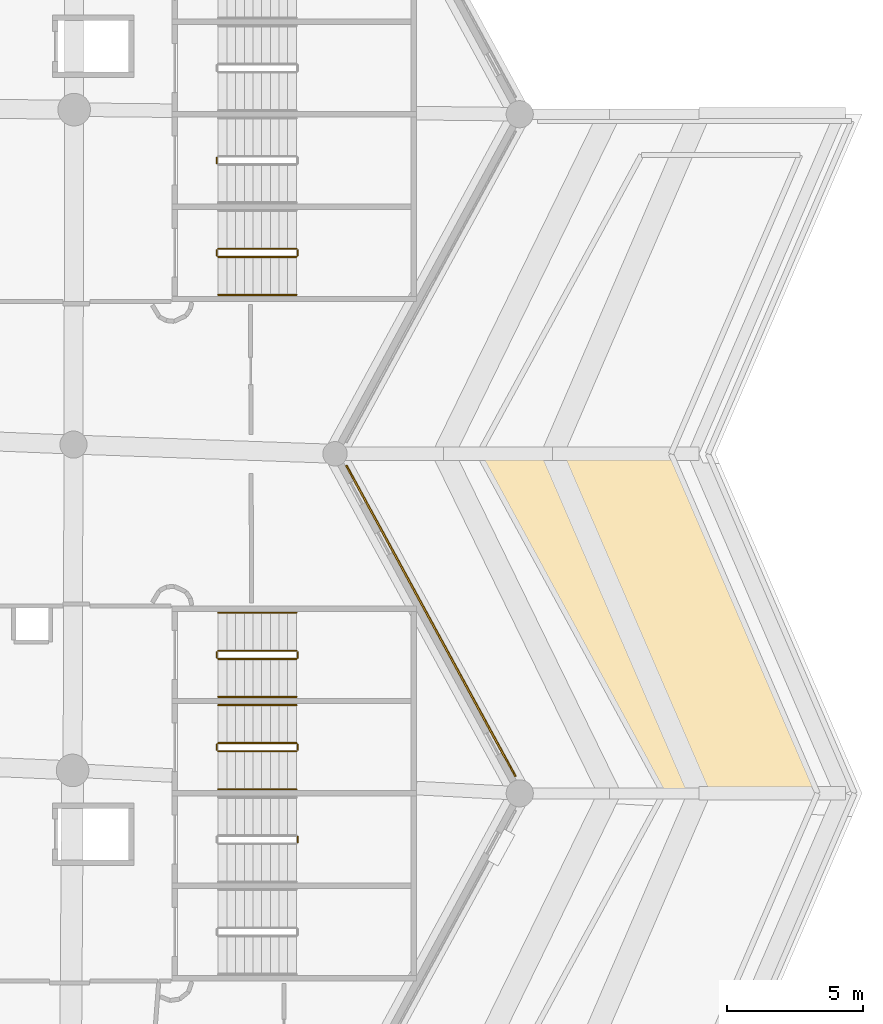
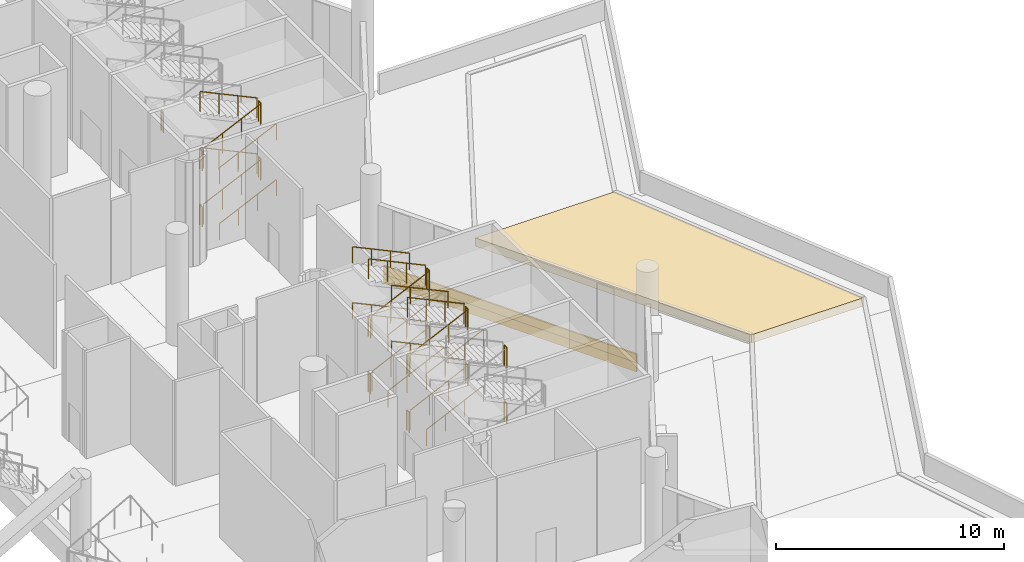
# One storey, part 140 of 173: 37 railings, 3 coverings.
"""IFC4 building model written with IfcOpenShell, lengths in metres."""

from ifc_helpers import new_model, si_unit, direction, frame, origin, origin_2d, place, context, subcontext, project, spatial, polyline, rectangle, circle, outline, extrude, material, layer, layer_set, type_object, element, save


model = new_model("IFC4")

# Units and contexts
model_context = context("Model", 3, precision=1e-05, world=origin(), true_north=direction((0.0, 1.0)))
body_context = subcontext(model_context, "Body", "Model", "MODEL_VIEW")
ifc_project = project(units=[si_unit("LENGTHUNIT", "METRE"), si_unit("AREAUNIT", "SQUARE_METRE"), si_unit("VOLUMEUNIT", "CUBIC_METRE"), si_unit("PLANEANGLEUNIT", "RADIAN"), si_unit("MASSUNIT", "GRAM", prefix="KILO")], contexts=[model_context])

# Site, building, storey
site_placement = place(None, origin())
site = spatial("IfcSite", under=ifc_project, at=site_placement, CompositionType="ELEMENT")
building_placement = place(site_placement, origin())
building = spatial("IfcBuilding", under=site, at=building_placement, Name="Meseta Stadium", CompositionType="ELEMENT")
storey_placement = place(building_placement, frame((0.0, 0.0, 18.0)))
storey = spatial("IfcBuildingStorey", under=building, at=storey_placement, Name="L03", CompositionType="ELEMENT", Elevation=18.0)

# Coverings
ifc_material_1 = material(Name="Guadarrama granite cladding", Category="masonry")
ifc_layer_1 = layer(ifc_material_1, 0.06005859375)
ifc_layer_set_1 = layer_set([ifc_layer_1], Name="Granite plinth cladding 60")
covering_type_1 = type_object("IfcCoveringType", Name="Granite plinth cladding 60", PredefinedType="CLADDING", material=ifc_layer_set_1)
covering_1_placement = place(storey_placement, frame((98.124267578125, -24.904052734375, 0.0), z_axis=(0.0, 0.0, 1.0), x_axis=(0.47786723231, -0.878432073802, 0.0)))
element("IfcCovering", 1, at=covering_1_placement, inside=storey, type_object=covering_type_1, Name="Granite plinth L03 F02", PredefinedType="CLADDING", context=body_context, shape_type="SweptSolid", body=[
    extrude(rectangle(XDim=13.040283203125, YDim=0.06005859375, at=origin_2d()), origin(), (0.0, 0.0, 1.0), 0.5),
])
ifc_material_2 = material(Name="Planting soil")
ifc_layer_2 = layer(ifc_material_2, 0.449951171875)
ifc_layer_set_2 = layer_set([ifc_layer_2], Name="Planting soil 450")
covering_type_2 = type_object("IfcCoveringType", Name="Planting soil 450", PredefinedType="FLOORING", material=ifc_layer_set_2)
covering_2_placement = place(storey_placement, origin())
element("IfcCovering", 2, at=covering_2_placement, inside=storey, type_object=covering_type_2, Name="Roof garden planting bed 8.1 panel 06", PredefinedType="FLOORING", context=body_context, shape_type="SweptSolid", body=[
    extrude(outline(polyline([(99.8935546875, -18.75), (106.693603515625, -31.25), (112.365966796875, -31.25), (106.966064453125, -18.75), (99.8935546875, -18.75)])), origin(), (0.0, 0.0, 1.0), 0.449951171875),
])

# Railings
ifc_material_3 = material(Name="Steel S355", Category="steel")
railing_type_1 = type_object("IfcRailingType", Name="Stair guard 1100", PredefinedType="GUARDRAIL", material=ifc_material_3)
for number, where, name in (
    (3, (93.22998046875, -33.050048828125, 1.5), "ST6 L03 guard 2"),
    (4, (93.22998046875, -33.050048828125, 4.5), "ST6 L03 guard 6"),
):
    element("IfcRailing", number, at=place(storey_placement, frame(where)), inside=storey, type_object=railing_type_1, Name=name, PredefinedType="GUARDRAIL", context=body_context, shape_type="SweptSolid", body=[
        extrude(circle(Radius=0.02392578125, at=origin_2d()), frame((0.0, 0.0, 1.076171875), z_axis=(0.0, 1.0, 0.0), x_axis=(-1.0, 0.0, 0.0)), (0.0, 0.0, 1.0), 0.199951171875),
        extrude(circle(Radius=0.02099609375, at=origin_2d()), origin(), (0.0, 0.0, 1.0), 1.052001953125),
        extrude(circle(Radius=0.02099609375, at=origin_2d()), frame((0.0, 0.199951171875, 0.0)), (0.0, 0.0, 1.0), 1.052001953125),
    ])
railing_1_placement = place(storey_placement, frame((90.300048828125, -29.699951171875, 0.14990234375)))
element("IfcRailing", 5, at=railing_1_placement, inside=storey, type_object=railing_type_1, Name="ST7 L03 guard 1", PredefinedType="GUARDRAIL", context=body_context, shape_type="SweptSolid", body=[
    extrude(circle(Radius=0.02392578125, at=origin_2d()), frame((0.0, 0.0, 1.076171875), z_axis=(0.905440498372, 0.0, 0.424473207528), x_axis=(0.0, 1.0, 0.0)), (0.0, 0.0, 1.0), 3.1806640625),
    extrude(circle(Radius=0.02099609375, at=origin_2d()), origin(), (0.0, 0.0, 1.0), 1.052001953125),
    extrude(circle(Radius=0.02099609375, at=origin_2d()), frame((0.9599609375, 0.0, 0.449951171875)), (0.0, 0.0, 1.0), 1.052001953125),
    extrude(circle(Radius=0.02099609375, at=origin_2d()), frame((1.919921875, 0.0, 0.900146484375)), (0.0, 0.0, 1.0), 1.052001953125),
    extrude(circle(Radius=0.02099609375, at=origin_2d()), frame((2.8798828125, 0.0, 1.35009765625)), (0.0, 0.0, 1.0), 1.052001953125),
])
railing_2_placement = place(storey_placement, frame((93.22998046875, -29.64990234375, 1.5)))
element("IfcRailing", 6, at=railing_2_placement, inside=storey, type_object=railing_type_1, Name="ST7 L03 guard 2", PredefinedType="GUARDRAIL", context=body_context, shape_type="SweptSolid", body=[
    extrude(circle(Radius=0.02392578125, at=origin_2d()), frame((0.0, 0.0, 1.076171875), z_axis=(0.0, 1.0, 0.0), x_axis=(-1.0, 0.0, 0.0)), (0.0, 0.0, 1.0), 0.199951171875),
    extrude(circle(Radius=0.02099609375, at=origin_2d()), origin(), (0.0, 0.0, 1.0), 1.052001953125),
    extrude(circle(Radius=0.02099609375, at=origin_2d()), frame((0.0, 0.199951171875, 0.0)), (0.0, 0.0, 1.0), 1.052001953125),
])
railing_3_placement = place(storey_placement, frame((93.179931640625, -29.39990234375, 1.64990234375)))
element("IfcRailing", 7, at=railing_3_placement, inside=storey, type_object=railing_type_1, Name="ST7 L03 guard 3", PredefinedType="GUARDRAIL", context=body_context, shape_type="SweptSolid", body=[
    extrude(circle(Radius=0.02392578125, at=origin_2d()), frame((0.0, 0.0, 1.076171875), z_axis=(-0.905440498372, 0.0, 0.424473207528), x_axis=(0.0, -1.0, 0.0)), (0.0, 0.0, 1.0), 3.1806640625),
    extrude(circle(Radius=0.02099609375, at=origin_2d()), origin(), (0.0, 0.0, 1.0), 1.052001953125),
    extrude(circle(Radius=0.02099609375, at=origin_2d()), frame((-0.9599609375, 0.0, 0.449951171875)), (0.0, 0.0, 1.0), 1.052001953125),
    extrude(circle(Radius=0.02099609375, at=origin_2d()), frame((-1.919921875, 0.0, 0.900146484375)), (0.0, 0.0, 1.0), 1.052001953125),
    extrude(circle(Radius=0.02099609375, at=origin_2d()), frame((-2.8798828125, 0.0, 1.35009765625)), (0.0, 0.0, 1.0), 1.052001953125),
])
railing_4_placement = place(storey_placement, frame((90.25, -29.64990234375, 3.0)))
element("IfcRailing", 8, at=railing_4_placement, inside=storey, type_object=railing_type_1, Name="ST7 L03 guard 4", PredefinedType="GUARDRAIL", context=body_context, shape_type="SweptSolid", body=[
    extrude(circle(Radius=0.02392578125, at=origin_2d()), frame((0.0, 0.0, 1.076171875), z_axis=(0.0, 1.0, 0.0), x_axis=(-1.0, 0.0, 0.0)), (0.0, 0.0, 1.0), 0.199951171875),
    extrude(circle(Radius=0.02099609375, at=origin_2d()), origin(), (0.0, 0.0, 1.0), 1.052001953125),
    extrude(circle(Radius=0.02099609375, at=origin_2d()), frame((0.0, 0.199951171875, 0.0)), (0.0, 0.0, 1.0), 1.052001953125),
])
railing_5_placement = place(storey_placement, frame((90.300048828125, -29.699951171875, 3.14990234375)))
element("IfcRailing", 9, at=railing_5_placement, inside=storey, type_object=railing_type_1, Name="ST7 L03 guard 5", PredefinedType="GUARDRAIL", context=body_context, shape_type="SweptSolid", body=[
    extrude(circle(Radius=0.02392578125, at=origin_2d()), frame((0.0, 0.0, 1.076171875), z_axis=(0.905440498372, 0.0, 0.424473207528), x_axis=(0.0, 1.0, 0.0)), (0.0, 0.0, 1.0), 3.1806640625),
    extrude(circle(Radius=0.02099609375, at=origin_2d()), origin(), (0.0, 0.0, 1.0), 1.052001953125),
    extrude(circle(Radius=0.02099609375, at=origin_2d()), frame((0.9599609375, 0.0, 0.449951171875)), (0.0, 0.0, 1.0), 1.052001953125),
    extrude(circle(Radius=0.02099609375, at=origin_2d()), frame((1.919921875, 0.0, 0.900146484375)), (0.0, 0.0, 1.0), 1.052001953125),
    extrude(circle(Radius=0.02099609375, at=origin_2d()), frame((2.8798828125, 0.0, 1.35009765625)), (0.0, 0.0, 1.0), 1.052001953125),
])
railing_6_placement = place(storey_placement, frame((93.22998046875, -29.64990234375, 4.5)))
element("IfcRailing", 10, at=railing_6_placement, inside=storey, type_object=railing_type_1, Name="ST7 L03 guard 6", PredefinedType="GUARDRAIL", context=body_context, shape_type="SweptSolid", body=[
    extrude(circle(Radius=0.02392578125, at=origin_2d()), frame((0.0, 0.0, 1.076171875), z_axis=(0.0, 1.0, 0.0), x_axis=(-1.0, 0.0, 0.0)), (0.0, 0.0, 1.0), 0.199951171875),
    extrude(circle(Radius=0.02099609375, at=origin_2d()), origin(), (0.0, 0.0, 1.0), 1.052001953125),
    extrude(circle(Radius=0.02099609375, at=origin_2d()), frame((0.0, 0.199951171875, 0.0)), (0.0, 0.0, 1.0), 1.052001953125),
])
railing_7_placement = place(storey_placement, frame((93.179931640625, -29.39990234375, 4.64990234375)))
element("IfcRailing", 11, at=railing_7_placement, inside=storey, type_object=railing_type_1, Name="ST7 L03 guard 7", PredefinedType="GUARDRAIL", context=body_context, shape_type="SweptSolid", body=[
    extrude(circle(Radius=0.02392578125, at=origin_2d()), frame((0.0, 0.0, 1.076171875), z_axis=(-0.905440498372, 0.0, 0.424473207528), x_axis=(0.0, -1.0, 0.0)), (0.0, 0.0, 1.0), 3.1806640625),
    extrude(circle(Radius=0.02099609375, at=origin_2d()), origin(), (0.0, 0.0, 1.0), 1.052001953125),
    extrude(circle(Radius=0.02099609375, at=origin_2d()), frame((-0.9599609375, 0.0, 0.449951171875)), (0.0, 0.0, 1.0), 1.052001953125),
    extrude(circle(Radius=0.02099609375, at=origin_2d()), frame((-1.919921875, 0.0, 0.900146484375)), (0.0, 0.0, 1.0), 1.052001953125),
    extrude(circle(Radius=0.02099609375, at=origin_2d()), frame((-2.8798828125, 0.0, 1.35009765625)), (0.0, 0.0, 1.0), 1.052001953125),
])
railing_8_placement = place(storey_placement, frame((90.25, -29.64990234375, 0.0)))
element("IfcRailing", 12, at=railing_8_placement, inside=storey, type_object=railing_type_1, Name="ST7 L03 guard 8", PredefinedType="GUARDRAIL", context=body_context, shape_type="SweptSolid", body=[
    extrude(circle(Radius=0.02392578125, at=origin_2d()), frame((0.0, 0.0, 1.076171875), z_axis=(0.0, 1.0, 0.0), x_axis=(-1.0, 0.0, 0.0)), (0.0, 0.0, 1.0), 0.199951171875),
    extrude(circle(Radius=0.02099609375, at=origin_2d()), origin(), (0.0, 0.0, 1.0), 1.052001953125),
    extrude(circle(Radius=0.02099609375, at=origin_2d()), frame((0.0, 0.199951171875, 0.0)), (0.0, 0.0, 1.0), 1.052001953125),
])
railing_9_placement = place(storey_placement, frame((90.300048828125, -26.300048828125, 0.14990234375)))
element("IfcRailing", 13, at=railing_9_placement, inside=storey, type_object=railing_type_1, Name="ST8 L03 guard 1", PredefinedType="GUARDRAIL", context=body_context, shape_type="SweptSolid", body=[
    extrude(circle(Radius=0.02392578125, at=origin_2d()), frame((0.0, 0.0, 1.076171875), z_axis=(0.905440498372, 0.0, 0.424473207528), x_axis=(0.0, 1.0, 0.0)), (0.0, 0.0, 1.0), 3.1806640625),
    extrude(circle(Radius=0.02099609375, at=origin_2d()), origin(), (0.0, 0.0, 1.0), 1.052001953125),
    extrude(circle(Radius=0.02099609375, at=origin_2d()), frame((0.9599609375, 0.0, 0.449951171875)), (0.0, 0.0, 1.0), 1.052001953125),
    extrude(circle(Radius=0.02099609375, at=origin_2d()), frame((1.919921875, 0.0, 0.900146484375)), (0.0, 0.0, 1.0), 1.052001953125),
    extrude(circle(Radius=0.02099609375, at=origin_2d()), frame((2.8798828125, 0.0, 1.35009765625)), (0.0, 0.0, 1.0), 1.052001953125),
])
railing_10_placement = place(storey_placement, frame((93.22998046875, -26.25, 1.5)))
element("IfcRailing", 14, at=railing_10_placement, inside=storey, type_object=railing_type_1, Name="ST8 L03 guard 2", PredefinedType="GUARDRAIL", context=body_context, shape_type="SweptSolid", body=[
    extrude(circle(Radius=0.02392578125, at=origin_2d()), frame((0.0, 0.0, 1.076171875), z_axis=(0.0, 1.0, 0.0), x_axis=(-1.0, 0.0, 0.0)), (0.0, 0.0, 1.0), 0.199951171875),
    extrude(circle(Radius=0.02099609375, at=origin_2d()), origin(), (0.0, 0.0, 1.0), 1.052001953125),
    extrude(circle(Radius=0.02099609375, at=origin_2d()), frame((0.0, 0.199951171875, 0.0)), (0.0, 0.0, 1.0), 1.052001953125),
])
railing_11_placement = place(storey_placement, frame((93.179931640625, -26.0, 1.64990234375)))
element("IfcRailing", 15, at=railing_11_placement, inside=storey, type_object=railing_type_1, Name="ST8 L03 guard 3", PredefinedType="GUARDRAIL", context=body_context, shape_type="SweptSolid", body=[
    extrude(circle(Radius=0.02392578125, at=origin_2d()), frame((0.0, 0.0, 1.076171875), z_axis=(-0.905440498372, 0.0, 0.424473207528), x_axis=(0.0, -1.0, 0.0)), (0.0, 0.0, 1.0), 3.1806640625),
    extrude(circle(Radius=0.02099609375, at=origin_2d()), origin(), (0.0, 0.0, 1.0), 1.052001953125),
    extrude(circle(Radius=0.02099609375, at=origin_2d()), frame((-0.9599609375, 0.0, 0.449951171875)), (0.0, 0.0, 1.0), 1.052001953125),
    extrude(circle(Radius=0.02099609375, at=origin_2d()), frame((-1.919921875, 0.0, 0.900146484375)), (0.0, 0.0, 1.0), 1.052001953125),
    extrude(circle(Radius=0.02099609375, at=origin_2d()), frame((-2.8798828125, 0.0, 1.35009765625)), (0.0, 0.0, 1.0), 1.052001953125),
])
railing_12_placement = place(storey_placement, frame((90.25, -26.25, 3.0)))
element("IfcRailing", 16, at=railing_12_placement, inside=storey, type_object=railing_type_1, Name="ST8 L03 guard 4", PredefinedType="GUARDRAIL", context=body_context, shape_type="SweptSolid", body=[
    extrude(circle(Radius=0.02392578125, at=origin_2d()), frame((0.0, 0.0, 1.076171875), z_axis=(0.0, 1.0, 0.0), x_axis=(-1.0, 0.0, 0.0)), (0.0, 0.0, 1.0), 0.199951171875),
    extrude(circle(Radius=0.02099609375, at=origin_2d()), origin(), (0.0, 0.0, 1.0), 1.052001953125),
    extrude(circle(Radius=0.02099609375, at=origin_2d()), frame((0.0, 0.199951171875, 0.0)), (0.0, 0.0, 1.0), 1.052001953125),
])
railing_13_placement = place(storey_placement, frame((90.300048828125, -26.300048828125, 3.14990234375)))
element("IfcRailing", 17, at=railing_13_placement, inside=storey, type_object=railing_type_1, Name="ST8 L03 guard 5", PredefinedType="GUARDRAIL", context=body_context, shape_type="SweptSolid", body=[
    extrude(circle(Radius=0.02392578125, at=origin_2d()), frame((0.0, 0.0, 1.076171875), z_axis=(0.905440498372, 0.0, 0.424473207528), x_axis=(0.0, 1.0, 0.0)), (0.0, 0.0, 1.0), 3.1806640625),
    extrude(circle(Radius=0.02099609375, at=origin_2d()), origin(), (0.0, 0.0, 1.0), 1.052001953125),
    extrude(circle(Radius=0.02099609375, at=origin_2d()), frame((0.9599609375, 0.0, 0.449951171875)), (0.0, 0.0, 1.0), 1.052001953125),
    extrude(circle(Radius=0.02099609375, at=origin_2d()), frame((1.919921875, 0.0, 0.900146484375)), (0.0, 0.0, 1.0), 1.052001953125),
    extrude(circle(Radius=0.02099609375, at=origin_2d()), frame((2.8798828125, 0.0, 1.35009765625)), (0.0, 0.0, 1.0), 1.052001953125),
])
railing_14_placement = place(storey_placement, frame((93.22998046875, -26.25, 4.5)))
element("IfcRailing", 18, at=railing_14_placement, inside=storey, type_object=railing_type_1, Name="ST8 L03 guard 6", PredefinedType="GUARDRAIL", context=body_context, shape_type="SweptSolid", body=[
    extrude(circle(Radius=0.02392578125, at=origin_2d()), frame((0.0, 0.0, 1.076171875), z_axis=(0.0, 1.0, 0.0), x_axis=(-1.0, 0.0, 0.0)), (0.0, 0.0, 1.0), 0.199951171875),
    extrude(circle(Radius=0.02099609375, at=origin_2d()), origin(), (0.0, 0.0, 1.0), 1.052001953125),
    extrude(circle(Radius=0.02099609375, at=origin_2d()), frame((0.0, 0.199951171875, 0.0)), (0.0, 0.0, 1.0), 1.052001953125),
])
railing_15_placement = place(storey_placement, frame((93.179931640625, -26.0, 4.64990234375)))
element("IfcRailing", 19, at=railing_15_placement, inside=storey, type_object=railing_type_1, Name="ST8 L03 guard 7", PredefinedType="GUARDRAIL", context=body_context, shape_type="SweptSolid", body=[
    extrude(circle(Radius=0.02392578125, at=origin_2d()), frame((0.0, 0.0, 1.076171875), z_axis=(-0.905440498372, 0.0, 0.424473207528), x_axis=(0.0, -1.0, 0.0)), (0.0, 0.0, 1.0), 3.1806640625),
    extrude(circle(Radius=0.02099609375, at=origin_2d()), origin(), (0.0, 0.0, 1.0), 1.052001953125),
    extrude(circle(Radius=0.02099609375, at=origin_2d()), frame((-0.9599609375, 0.0, 0.449951171875)), (0.0, 0.0, 1.0), 1.052001953125),
    extrude(circle(Radius=0.02099609375, at=origin_2d()), frame((-1.919921875, 0.0, 0.900146484375)), (0.0, 0.0, 1.0), 1.052001953125),
    extrude(circle(Radius=0.02099609375, at=origin_2d()), frame((-2.8798828125, 0.0, 1.35009765625)), (0.0, 0.0, 1.0), 1.052001953125),
])
railing_16_placement = place(storey_placement, frame((90.25, -26.25, 0.0)))
element("IfcRailing", 20, at=railing_16_placement, inside=storey, type_object=railing_type_1, Name="ST8 L03 guard 8", PredefinedType="GUARDRAIL", context=body_context, shape_type="SweptSolid", body=[
    extrude(circle(Radius=0.02392578125, at=origin_2d()), frame((0.0, 0.0, 1.076171875), z_axis=(0.0, 1.0, 0.0), x_axis=(-1.0, 0.0, 0.0)), (0.0, 0.0, 1.0), 0.199951171875),
    extrude(circle(Radius=0.02099609375, at=origin_2d()), origin(), (0.0, 0.0, 1.0), 1.052001953125),
    extrude(circle(Radius=0.02099609375, at=origin_2d()), frame((0.0, 0.199951171875, 0.0)), (0.0, 0.0, 1.0), 1.052001953125),
])
railing_17_placement = place(storey_placement, frame((90.300048828125, -11.5, 0.14990234375)))
element("IfcRailing", 21, at=railing_17_placement, inside=storey, type_object=railing_type_1, Name="ST9 L03 guard 1", PredefinedType="GUARDRAIL", context=body_context, shape_type="SweptSolid", body=[
    extrude(circle(Radius=0.02392578125, at=origin_2d()), frame((0.0, 0.0, 1.076171875), z_axis=(0.905440498372, 0.0, 0.424473207528), x_axis=(0.0, 1.0, 0.0)), (0.0, 0.0, 1.0), 3.1806640625),
    extrude(circle(Radius=0.02099609375, at=origin_2d()), origin(), (0.0, 0.0, 1.0), 1.052001953125),
    extrude(circle(Radius=0.02099609375, at=origin_2d()), frame((0.9599609375, 0.0, 0.449951171875)), (0.0, 0.0, 1.0), 1.052001953125),
    extrude(circle(Radius=0.02099609375, at=origin_2d()), frame((1.919921875, 0.0, 0.900146484375)), (0.0, 0.0, 1.0), 1.052001953125),
    extrude(circle(Radius=0.02099609375, at=origin_2d()), frame((2.8798828125, 0.0, 1.35009765625)), (0.0, 0.0, 1.0), 1.052001953125),
])
railing_18_placement = place(storey_placement, frame((93.22998046875, -11.449951171875, 1.5)))
element("IfcRailing", 22, at=railing_18_placement, inside=storey, type_object=railing_type_1, Name="ST9 L03 guard 2", PredefinedType="GUARDRAIL", context=body_context, shape_type="SweptSolid", body=[
    extrude(circle(Radius=0.02392578125, at=origin_2d()), frame((0.0, 0.0, 1.076171875), z_axis=(0.0, 1.0, 0.0), x_axis=(-1.0, 0.0, 0.0)), (0.0, 0.0, 1.0), 0.199951171875),
    extrude(circle(Radius=0.02099609375, at=origin_2d()), origin(), (0.0, 0.0, 1.0), 1.052001953125),
    extrude(circle(Radius=0.02099609375, at=origin_2d()), frame((0.0, 0.199951171875, 0.0)), (0.0, 0.0, 1.0), 1.052001953125),
])
railing_19_placement = place(storey_placement, frame((93.179931640625, -11.199951171875, 1.64990234375)))
element("IfcRailing", 23, at=railing_19_placement, inside=storey, type_object=railing_type_1, Name="ST9 L03 guard 3", PredefinedType="GUARDRAIL", context=body_context, shape_type="SweptSolid", body=[
    extrude(circle(Radius=0.02392578125, at=origin_2d()), frame((0.0, 0.0, 1.076171875), z_axis=(-0.905440498372, 0.0, 0.424473207528), x_axis=(0.0, -1.0, 0.0)), (0.0, 0.0, 1.0), 3.1806640625),
    extrude(circle(Radius=0.02099609375, at=origin_2d()), origin(), (0.0, 0.0, 1.0), 1.052001953125),
    extrude(circle(Radius=0.02099609375, at=origin_2d()), frame((-0.9599609375, 0.0, 0.449951171875)), (0.0, 0.0, 1.0), 1.052001953125),
    extrude(circle(Radius=0.02099609375, at=origin_2d()), frame((-1.919921875, 0.0, 0.900146484375)), (0.0, 0.0, 1.0), 1.052001953125),
    extrude(circle(Radius=0.02099609375, at=origin_2d()), frame((-2.8798828125, 0.0, 1.35009765625)), (0.0, 0.0, 1.0), 1.052001953125),
])
railing_20_placement = place(storey_placement, frame((90.25, -11.449951171875, 3.0)))
element("IfcRailing", 24, at=railing_20_placement, inside=storey, type_object=railing_type_1, Name="ST9 L03 guard 4", PredefinedType="GUARDRAIL", context=body_context, shape_type="SweptSolid", body=[
    extrude(circle(Radius=0.02392578125, at=origin_2d()), frame((0.0, 0.0, 1.076171875), z_axis=(0.0, 1.0, 0.0), x_axis=(-1.0, 0.0, 0.0)), (0.0, 0.0, 1.0), 0.199951171875),
    extrude(circle(Radius=0.02099609375, at=origin_2d()), origin(), (0.0, 0.0, 1.0), 1.052001953125),
    extrude(circle(Radius=0.02099609375, at=origin_2d()), frame((0.0, 0.199951171875, 0.0)), (0.0, 0.0, 1.0), 1.052001953125),
])
railing_21_placement = place(storey_placement, frame((90.300048828125, -11.5, 3.14990234375)))
element("IfcRailing", 25, at=railing_21_placement, inside=storey, type_object=railing_type_1, Name="ST9 L03 guard 5", PredefinedType="GUARDRAIL", context=body_context, shape_type="SweptSolid", body=[
    extrude(circle(Radius=0.02392578125, at=origin_2d()), frame((0.0, 0.0, 1.076171875), z_axis=(0.905440498372, 0.0, 0.424473207528), x_axis=(0.0, 1.0, 0.0)), (0.0, 0.0, 1.0), 3.1806640625),
    extrude(circle(Radius=0.02099609375, at=origin_2d()), origin(), (0.0, 0.0, 1.0), 1.052001953125),
    extrude(circle(Radius=0.02099609375, at=origin_2d()), frame((0.9599609375, 0.0, 0.449951171875)), (0.0, 0.0, 1.0), 1.052001953125),
    extrude(circle(Radius=0.02099609375, at=origin_2d()), frame((1.919921875, 0.0, 0.900146484375)), (0.0, 0.0, 1.0), 1.052001953125),
    extrude(circle(Radius=0.02099609375, at=origin_2d()), frame((2.8798828125, 0.0, 1.35009765625)), (0.0, 0.0, 1.0), 1.052001953125),
])
railing_22_placement = place(storey_placement, frame((93.22998046875, -11.449951171875, 4.5)))
element("IfcRailing", 26, at=railing_22_placement, inside=storey, type_object=railing_type_1, Name="ST9 L03 guard 6", PredefinedType="GUARDRAIL", context=body_context, shape_type="SweptSolid", body=[
    extrude(circle(Radius=0.02392578125, at=origin_2d()), frame((0.0, 0.0, 1.076171875), z_axis=(0.0, 1.0, 0.0), x_axis=(-1.0, 0.0, 0.0)), (0.0, 0.0, 1.0), 0.199951171875),
    extrude(circle(Radius=0.02099609375, at=origin_2d()), origin(), (0.0, 0.0, 1.0), 1.052001953125),
    extrude(circle(Radius=0.02099609375, at=origin_2d()), frame((0.0, 0.199951171875, 0.0)), (0.0, 0.0, 1.0), 1.052001953125),
])
railing_23_placement = place(storey_placement, frame((93.179931640625, -11.199951171875, 4.64990234375)))
element("IfcRailing", 27, at=railing_23_placement, inside=storey, type_object=railing_type_1, Name="ST9 L03 guard 7", PredefinedType="GUARDRAIL", context=body_context, shape_type="SweptSolid", body=[
    extrude(circle(Radius=0.02392578125, at=origin_2d()), frame((0.0, 0.0, 1.076171875), z_axis=(-0.905440498372, 0.0, 0.424473207528), x_axis=(0.0, -1.0, 0.0)), (0.0, 0.0, 1.0), 3.1806640625),
    extrude(circle(Radius=0.02099609375, at=origin_2d()), origin(), (0.0, 0.0, 1.0), 1.052001953125),
    extrude(circle(Radius=0.02099609375, at=origin_2d()), frame((-0.9599609375, 0.0, 0.449951171875)), (0.0, 0.0, 1.0), 1.052001953125),
    extrude(circle(Radius=0.02099609375, at=origin_2d()), frame((-1.919921875, 0.0, 0.900146484375)), (0.0, 0.0, 1.0), 1.052001953125),
    extrude(circle(Radius=0.02099609375, at=origin_2d()), frame((-2.8798828125, 0.0, 1.35009765625)), (0.0, 0.0, 1.0), 1.052001953125),
])
for number, where, name in (
    (28, (90.25, -11.449951171875, 0.0), "ST9 L03 guard 8"),
    (29, (90.25, -8.050048828125, 3.0), "ST10 L03 guard 4"),
):
    element("IfcRailing", number, at=place(storey_placement, frame(where)), inside=storey, type_object=railing_type_1, Name=name, PredefinedType="GUARDRAIL", context=body_context, shape_type="SweptSolid", body=[
        extrude(circle(Radius=0.02392578125, at=origin_2d()), frame((0.0, 0.0, 1.076171875), z_axis=(0.0, 1.0, 0.0), x_axis=(-1.0, 0.0, 0.0)), (0.0, 0.0, 1.0), 0.199951171875),
        extrude(circle(Radius=0.02099609375, at=origin_2d()), origin(), (0.0, 0.0, 1.0), 1.052001953125),
        extrude(circle(Radius=0.02099609375, at=origin_2d()), frame((0.0, 0.199951171875, 0.0)), (0.0, 0.0, 1.0), 1.052001953125),
    ])
ifc_material_4 = material(Name="Steel S355", Category="steel")
railing_type_2 = type_object("IfcRailingType", Name="Stair handrail 900", PredefinedType="HANDRAIL", material=ifc_material_4)
railing_24_placement = place(storey_placement, frame((90.300048828125, -31.10009765625, 0.14990234375)))
element("IfcRailing", 30, at=railing_24_placement, inside=storey, type_object=railing_type_2, Name="ST7 L03 handrail 1", PredefinedType="HANDRAIL", context=body_context, shape_type="SweptSolid", body=[
    extrude(circle(Radius=0.02392578125, at=origin_2d()), frame((0.0, 0.0, 0.8759765625), z_axis=(0.905440498372, 0.0, 0.424473207528), x_axis=(0.0, 1.0, 0.0)), (0.0, 0.0, 1.0), 3.1806640625),
    extrude(circle(Radius=0.02099609375, at=origin_2d()), origin(), (0.0, 0.0, 1.0), 0.851806640625),
    extrude(circle(Radius=0.02099609375, at=origin_2d()), frame((0.9599609375, 0.0, 0.449951171875)), (0.0, 0.0, 1.0), 0.851806640625),
    extrude(circle(Radius=0.02099609375, at=origin_2d()), frame((1.919921875, 0.0, 0.900146484375)), (0.0, 0.0, 1.0), 0.851806640625),
    extrude(circle(Radius=0.02099609375, at=origin_2d()), frame((2.8798828125, 0.0, 1.35009765625)), (0.0, 0.0, 1.0), 0.851806640625),
])
railing_25_placement = place(storey_placement, frame((93.179931640625, -28.0, 1.64990234375)))
element("IfcRailing", 31, at=railing_25_placement, inside=storey, type_object=railing_type_2, Name="ST7 L03 handrail 2", PredefinedType="HANDRAIL", context=body_context, shape_type="SweptSolid", body=[
    extrude(circle(Radius=0.02392578125, at=origin_2d()), frame((0.0, 0.0, 0.8759765625), z_axis=(-0.905440498372, 0.0, 0.424473207528), x_axis=(0.0, -1.0, 0.0)), (0.0, 0.0, 1.0), 3.1806640625),
    extrude(circle(Radius=0.02099609375, at=origin_2d()), origin(), (0.0, 0.0, 1.0), 0.851806640625),
    extrude(circle(Radius=0.02099609375, at=origin_2d()), frame((-0.9599609375, 0.0, 0.449951171875)), (0.0, 0.0, 1.0), 0.851806640625),
    extrude(circle(Radius=0.02099609375, at=origin_2d()), frame((-1.919921875, 0.0, 0.900146484375)), (0.0, 0.0, 1.0), 0.851806640625),
    extrude(circle(Radius=0.02099609375, at=origin_2d()), frame((-2.8798828125, 0.0, 1.35009765625)), (0.0, 0.0, 1.0), 0.851806640625),
])
railing_26_placement = place(storey_placement, frame((90.300048828125, -31.10009765625, 3.14990234375)))
element("IfcRailing", 32, at=railing_26_placement, inside=storey, type_object=railing_type_2, Name="ST7 L03 handrail 3", PredefinedType="HANDRAIL", context=body_context, shape_type="SweptSolid", body=[
    extrude(circle(Radius=0.02392578125, at=origin_2d()), frame((0.0, 0.0, 0.8759765625), z_axis=(0.905440498372, 0.0, 0.424473207528), x_axis=(0.0, 1.0, 0.0)), (0.0, 0.0, 1.0), 3.1806640625),
    extrude(circle(Radius=0.02099609375, at=origin_2d()), origin(), (0.0, 0.0, 1.0), 0.851806640625),
    extrude(circle(Radius=0.02099609375, at=origin_2d()), frame((0.9599609375, 0.0, 0.449951171875)), (0.0, 0.0, 1.0), 0.851806640625),
    extrude(circle(Radius=0.02099609375, at=origin_2d()), frame((1.919921875, 0.0, 0.900146484375)), (0.0, 0.0, 1.0), 0.851806640625),
    extrude(circle(Radius=0.02099609375, at=origin_2d()), frame((2.8798828125, 0.0, 1.35009765625)), (0.0, 0.0, 1.0), 0.851806640625),
])
railing_27_placement = place(storey_placement, frame((93.179931640625, -28.0, 4.64990234375)))
element("IfcRailing", 33, at=railing_27_placement, inside=storey, type_object=railing_type_2, Name="ST7 L03 handrail 4", PredefinedType="HANDRAIL", context=body_context, shape_type="SweptSolid", body=[
    extrude(circle(Radius=0.02392578125, at=origin_2d()), frame((0.0, 0.0, 0.8759765625), z_axis=(-0.905440498372, 0.0, 0.424473207528), x_axis=(0.0, -1.0, 0.0)), (0.0, 0.0, 1.0), 3.1806640625),
    extrude(circle(Radius=0.02099609375, at=origin_2d()), origin(), (0.0, 0.0, 1.0), 0.851806640625),
    extrude(circle(Radius=0.02099609375, at=origin_2d()), frame((-0.9599609375, 0.0, 0.449951171875)), (0.0, 0.0, 1.0), 0.851806640625),
    extrude(circle(Radius=0.02099609375, at=origin_2d()), frame((-1.919921875, 0.0, 0.900146484375)), (0.0, 0.0, 1.0), 0.851806640625),
    extrude(circle(Radius=0.02099609375, at=origin_2d()), frame((-2.8798828125, 0.0, 1.35009765625)), (0.0, 0.0, 1.0), 0.851806640625),
])
railing_28_placement = place(storey_placement, frame((90.300048828125, -27.699951171875, 0.14990234375)))
element("IfcRailing", 34, at=railing_28_placement, inside=storey, type_object=railing_type_2, Name="ST8 L03 handrail 1", PredefinedType="HANDRAIL", context=body_context, shape_type="SweptSolid", body=[
    extrude(circle(Radius=0.02392578125, at=origin_2d()), frame((0.0, 0.0, 0.8759765625), z_axis=(0.905440498372, 0.0, 0.424473207528), x_axis=(0.0, 1.0, 0.0)), (0.0, 0.0, 1.0), 3.1806640625),
    extrude(circle(Radius=0.02099609375, at=origin_2d()), origin(), (0.0, 0.0, 1.0), 0.851806640625),
    extrude(circle(Radius=0.02099609375, at=origin_2d()), frame((0.9599609375, 0.0, 0.449951171875)), (0.0, 0.0, 1.0), 0.851806640625),
    extrude(circle(Radius=0.02099609375, at=origin_2d()), frame((1.919921875, 0.0, 0.900146484375)), (0.0, 0.0, 1.0), 0.851806640625),
    extrude(circle(Radius=0.02099609375, at=origin_2d()), frame((2.8798828125, 0.0, 1.35009765625)), (0.0, 0.0, 1.0), 0.851806640625),
])
railing_29_placement = place(storey_placement, frame((93.179931640625, -24.60009765625, 1.64990234375)))
element("IfcRailing", 35, at=railing_29_placement, inside=storey, type_object=railing_type_2, Name="ST8 L03 handrail 2", PredefinedType="HANDRAIL", context=body_context, shape_type="SweptSolid", body=[
    extrude(circle(Radius=0.02392578125, at=origin_2d()), frame((0.0, 0.0, 0.8759765625), z_axis=(-0.905440498372, 0.0, 0.424473207528), x_axis=(0.0, -1.0, 0.0)), (0.0, 0.0, 1.0), 3.1806640625),
    extrude(circle(Radius=0.02099609375, at=origin_2d()), origin(), (0.0, 0.0, 1.0), 0.851806640625),
    extrude(circle(Radius=0.02099609375, at=origin_2d()), frame((-0.9599609375, 0.0, 0.449951171875)), (0.0, 0.0, 1.0), 0.851806640625),
    extrude(circle(Radius=0.02099609375, at=origin_2d()), frame((-1.919921875, 0.0, 0.900146484375)), (0.0, 0.0, 1.0), 0.851806640625),
    extrude(circle(Radius=0.02099609375, at=origin_2d()), frame((-2.8798828125, 0.0, 1.35009765625)), (0.0, 0.0, 1.0), 0.851806640625),
])
railing_30_placement = place(storey_placement, frame((90.300048828125, -27.699951171875, 3.14990234375)))
element("IfcRailing", 36, at=railing_30_placement, inside=storey, type_object=railing_type_2, Name="ST8 L03 handrail 3", PredefinedType="HANDRAIL", context=body_context, shape_type="SweptSolid", body=[
    extrude(circle(Radius=0.02392578125, at=origin_2d()), frame((0.0, 0.0, 0.8759765625), z_axis=(0.905440498372, 0.0, 0.424473207528), x_axis=(0.0, 1.0, 0.0)), (0.0, 0.0, 1.0), 3.1806640625),
    extrude(circle(Radius=0.02099609375, at=origin_2d()), origin(), (0.0, 0.0, 1.0), 0.851806640625),
    extrude(circle(Radius=0.02099609375, at=origin_2d()), frame((0.9599609375, 0.0, 0.449951171875)), (0.0, 0.0, 1.0), 0.851806640625),
    extrude(circle(Radius=0.02099609375, at=origin_2d()), frame((1.919921875, 0.0, 0.900146484375)), (0.0, 0.0, 1.0), 0.851806640625),
    extrude(circle(Radius=0.02099609375, at=origin_2d()), frame((2.8798828125, 0.0, 1.35009765625)), (0.0, 0.0, 1.0), 0.851806640625),
])
railing_31_placement = place(storey_placement, frame((93.179931640625, -24.60009765625, 4.64990234375)))
element("IfcRailing", 37, at=railing_31_placement, inside=storey, type_object=railing_type_2, Name="ST8 L03 handrail 4", PredefinedType="HANDRAIL", context=body_context, shape_type="SweptSolid", body=[
    extrude(circle(Radius=0.02392578125, at=origin_2d()), frame((0.0, 0.0, 0.8759765625), z_axis=(-0.905440498372, 0.0, 0.424473207528), x_axis=(0.0, -1.0, 0.0)), (0.0, 0.0, 1.0), 3.1806640625),
    extrude(circle(Radius=0.02099609375, at=origin_2d()), origin(), (0.0, 0.0, 1.0), 0.851806640625),
    extrude(circle(Radius=0.02099609375, at=origin_2d()), frame((-0.9599609375, 0.0, 0.449951171875)), (0.0, 0.0, 1.0), 0.851806640625),
    extrude(circle(Radius=0.02099609375, at=origin_2d()), frame((-1.919921875, 0.0, 0.900146484375)), (0.0, 0.0, 1.0), 0.851806640625),
    extrude(circle(Radius=0.02099609375, at=origin_2d()), frame((-2.8798828125, 0.0, 1.35009765625)), (0.0, 0.0, 1.0), 0.851806640625),
])
for number, where, name in (
    (38, (90.300048828125, -12.89990234375, 0.14990234375), "ST9 L03 handrail 1"),
    (39, (90.300048828125, -12.89990234375, 3.14990234375), "ST9 L03 handrail 3"),
):
    element("IfcRailing", number, at=place(storey_placement, frame(where)), inside=storey, type_object=railing_type_2, Name=name, PredefinedType="HANDRAIL", context=body_context, shape_type="SweptSolid", body=[
        extrude(circle(Radius=0.02392578125, at=origin_2d()), frame((0.0, 0.0, 0.8759765625), z_axis=(0.905440498372, 0.0, 0.424473207528), x_axis=(0.0, 1.0, 0.0)), (0.0, 0.0, 1.0), 3.1806640625),
        extrude(circle(Radius=0.02099609375, at=origin_2d()), origin(), (0.0, 0.0, 1.0), 0.851806640625),
        extrude(circle(Radius=0.02099609375, at=origin_2d()), frame((0.9599609375, 0.0, 0.449951171875)), (0.0, 0.0, 1.0), 0.851806640625),
        extrude(circle(Radius=0.02099609375, at=origin_2d()), frame((1.919921875, 0.0, 0.900146484375)), (0.0, 0.0, 1.0), 0.851806640625),
        extrude(circle(Radius=0.02099609375, at=origin_2d()), frame((2.8798828125, 0.0, 1.35009765625)), (0.0, 0.0, 1.0), 0.851806640625),
    ])

# Covering
ifc_material_5 = material(Name="Precast concrete C40/50, terracotta pigment", Category="masonry")
ifc_layer_3 = layer(ifc_material_5, 0.080078125)
ifc_layer_set_3 = layer_set([ifc_layer_3], Name="Precast concrete C40/50, terracotta pigment")
covering_type_3 = type_object("IfcCoveringType", Name="Terracotta precast band 80", PredefinedType="CLADDING", material=ifc_layer_set_3)
covering_3_placement = place(storey_placement, frame((98.133056640625, -24.899169921875, 0.5), z_axis=(0.0, 0.0, 1.0), x_axis=(0.47786723231, -0.878432073802, 0.0)))
element("IfcCovering", 40, at=covering_3_placement, inside=storey, type_object=covering_type_3, Name="Terracotta band L03 F02", PredefinedType="CLADDING", context=body_context, shape_type="SweptSolid", body=[
    extrude(rectangle(XDim=13.040283203125, YDim=0.080078125, at=origin_2d()), origin(), (0.0, 0.0, 1.0), 0.449951171875),
])

save(model, "model.ifc")
